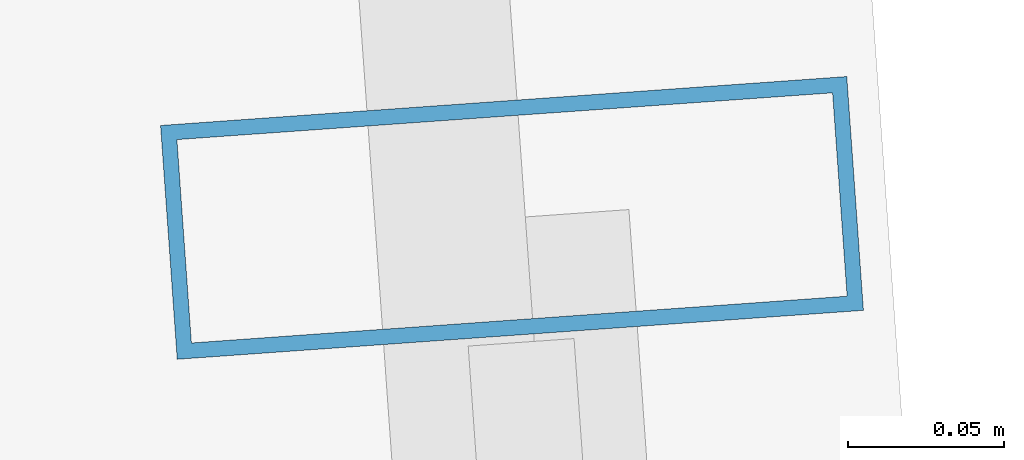
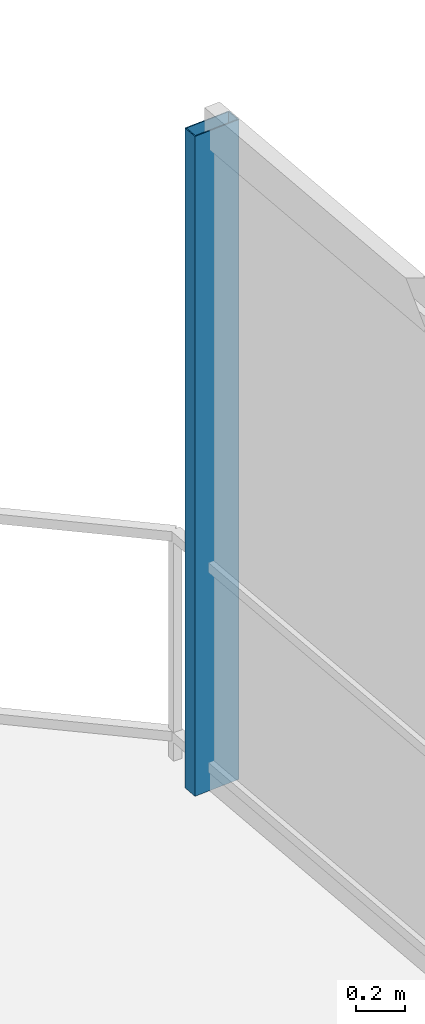
# One storey, part 15 of 20: 1 member, 1 element without a shape of its own.
"""IFC4 building model written with IfcOpenShell, lengths in metres."""

from ifc_helpers import new_model, si_unit, direction, frame, origin, origin_2d, place, context, subcontext, project, spatial, hollow_rectangle, extrude, material, layer, layer_set, material_profile, profile_set, type_object, element, aggregate, save


model = new_model("IFC4")

# Units and contexts
model_context = context("Model", 3, precision=1e-05, world=origin(), true_north=direction((0.0, 1.0)))
body_context = subcontext(model_context, "Body", "Model", "MODEL_VIEW")
ifc_project = project(units=[si_unit("LENGTHUNIT", "METRE"), si_unit("AREAUNIT", "SQUARE_METRE"), si_unit("VOLUMEUNIT", "CUBIC_METRE"), si_unit("PLANEANGLEUNIT", "RADIAN"), si_unit("MASSUNIT", "GRAM", prefix="KILO")], contexts=[model_context])

# Site, building, storey
site_placement = place(None, origin())
site = spatial("IfcSite", under=ifc_project, at=site_placement, CompositionType="ELEMENT")
building_placement = place(site_placement, origin())
building = spatial("IfcBuilding", under=site, at=building_placement, Name="Qarnah Convention Tower", CompositionType="ELEMENT")
storey_placement = place(building_placement, frame((0.0, 0.0, 195.0)))
storey = spatial("IfcBuildingStorey", under=building, at=storey_placement, Name="L52", CompositionType="ELEMENT", Elevation=195.0)

# Curtain wall, member
ifc_material_1 = material(Name="Tempered Low-E dark glass", Category="glass")
ifc_layer = layer(ifc_material_1, 0.174072265625)
ifc_layer_set = layer_set([ifc_layer], Name="Tempered Low-E dark glass")
curtain_wall_type = type_object("IfcCurtainWallType", Name="CWS-04", PredefinedType="NOTDEFINED", material=ifc_layer_set)
curtain_wall_placement = place(storey_placement, origin())
curtain_wall = element("IfcCurtainWall", 1, at=curtain_wall_placement, inside=storey, type_object=curtain_wall_type, Name="L52 unitised curtain wall CW-L52-F3", PredefinedType="NOTDEFINED")
ifc_material_2 = material(Name="Black anodised aluminium", Category="aluminium")
ifc_material_profile = material_profile(ifc_material_2, hollow_rectangle(XDim=0.074951171875, YDim=0.219970703125, WallThickness=0.0048828125, at=origin_2d()), Name="MUL-75X220")
ifc_profile_set = profile_set([ifc_material_profile], Name="Black anodised aluminium")
member_type = type_object("IfcMemberType", Name="MUL-T4", PredefinedType="MULLION", material=ifc_profile_set)
member_placement = place(storey_placement, frame((52.327880859375, 42.304931640625, 0.0), z_axis=(0.0, 0.0, 1.0), x_axis=(0.071127610581, -0.997467224029, 0.0)))
member = element("IfcMember", 2, at=member_placement, type_object=member_type, Name="CW-L52-F3 mullion 1", PredefinedType="MULLION", context=body_context, shape_type="SweptSolid", body=[
    extrude(hollow_rectangle(XDim=0.074951171875, YDim=0.219970703125, WallThickness=0.0048828125, at=origin_2d()), origin(), (0.0, 0.0, 1.0), 3.320068359375),
])
aggregate(curtain_wall, [member])

save(model, "model.ifc")
